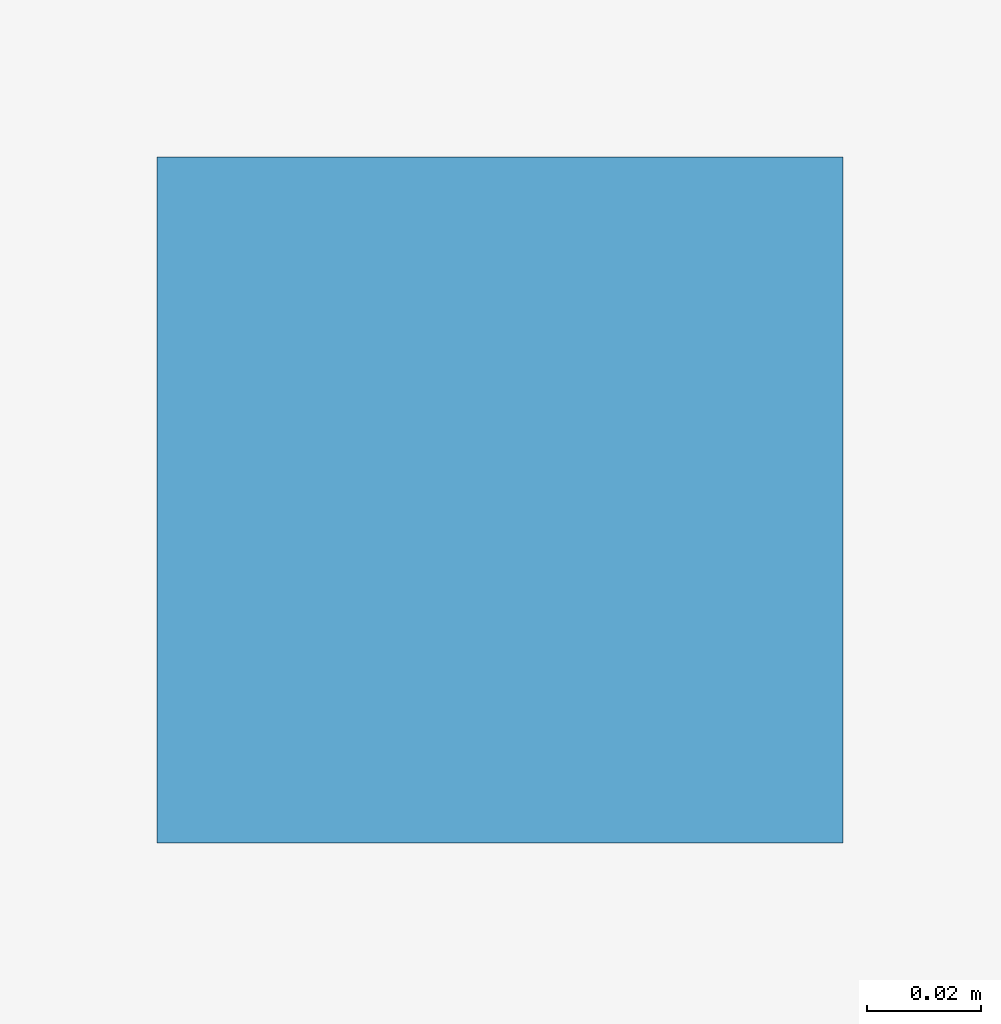
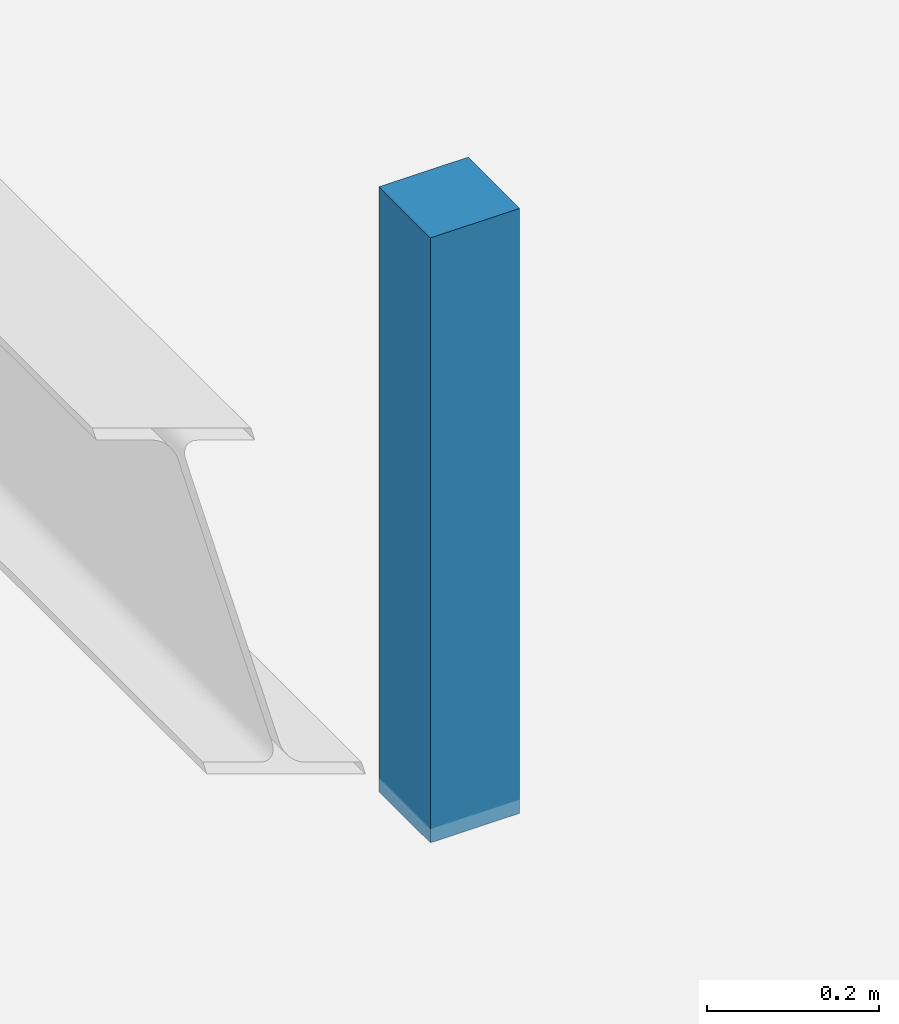
# One storey, part 76 of 77: 1 discrete accessory.
"""IFC4 building model written with IfcOpenShell, lengths in metres."""

from ifc_helpers import new_model, si_unit, derived_unit, direction, frame, origin, origin_2d, place, context, subcontext, project, spatial, rectangle, extrude, material, type_object, element, save


model = new_model("IFC4")

# Units and contexts
model_context = context("Model", 3, precision=1e-05, world=origin(), true_north=direction((0.0, 1.0)))
body_context = subcontext(model_context, "Body", "Model", "MODEL_VIEW")
ifc_project = project(units=[si_unit("LENGTHUNIT", "METRE"), si_unit("AREAUNIT", "SQUARE_METRE"), si_unit("VOLUMEUNIT", "CUBIC_METRE"), si_unit("PLANEANGLEUNIT", "RADIAN"), si_unit("MASSUNIT", "GRAM", prefix="KILO"), derived_unit("THERMALTRANSMITTANCEUNIT", [(si_unit("MASSUNIT", "GRAM", prefix="KILO"), 1), (si_unit("TIMEUNIT", "SECOND"), -3), (si_unit("THERMODYNAMICTEMPERATUREUNIT", "KELVIN"), -1)])], contexts=[model_context])

# Site, building, storey
site_placement = place(None, origin())
site = spatial("IfcSite", under=ifc_project, at=site_placement, CompositionType="ELEMENT")
building_placement = place(site_placement, origin())
building = spatial("IfcBuilding", under=site, at=building_placement, Name="Kharveza Railside Sports Centre", CompositionType="ELEMENT")
storey_placement = place(building_placement, frame((0.0, 0.0, 17.10009765625)))
storey = spatial("IfcBuildingStorey", under=building, at=storey_placement, Name="L04", CompositionType="ELEMENT", Elevation=17.10009765625)

# Discrete accessory
ifc_material = material(Name="Steel S275JR", Category="steel")
discrete_accessory_type = type_object("IfcDiscreteAccessoryType", Name="DA-BK01", PredefinedType="BRACKET", material=ifc_material)
discrete_accessory_placement = place(storey_placement, frame((162.89990234375, 54.0, 3.169921875), z_axis=(0.0, 0.0, 1.0), x_axis=(1.0, 0.0, 0.0)))
element("IfcDiscreteAccessory", 1, at=discrete_accessory_placement, inside=storey, type_object=discrete_accessory_type, Name="BK-COV-CL-SCI4", PredefinedType="BRACKET", context=body_context, shape_type="SweptSolid", body=[
    extrude(rectangle(XDim=0.1201171875, YDim=0.1201171875, at=origin_2d()), origin(), (0.0, 0.0, 1.0), 0.860107421875),
])

save(model, "model.ifc")
